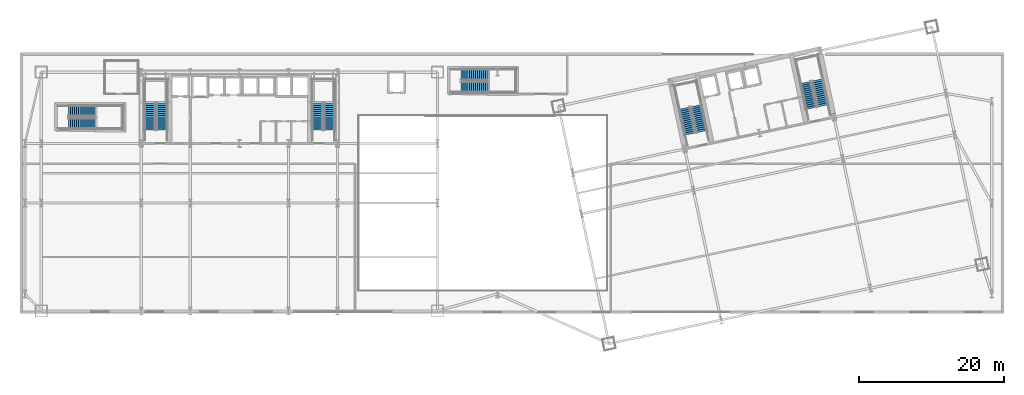
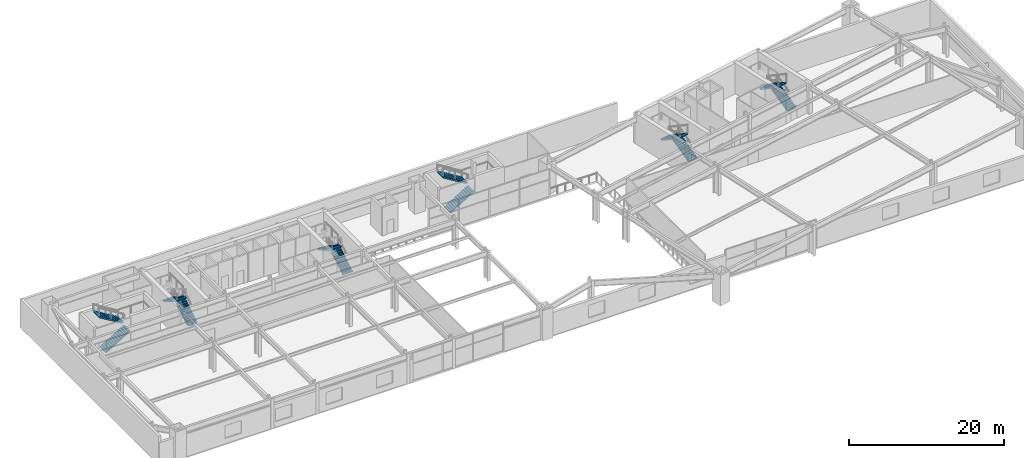
# One storey, part 21 of 30: 12 stair flights, 6 elements without a shape of their own.
"""IFC4 building model written with IfcOpenShell, lengths in metres."""

import ifcopenshell
import ifcopenshell.guid

model = None  # the IFC model being written
_history = None  # IfcOwnerHistory: only IFC2X3 demands one
_inside = {}  # id of a spatial element -> (the spatial element, [elements in it])
_under = {}  # id of a project, library or spatial element -> (it, [spatial elements below it])
_declared = {}  # id of a project -> (the project, [libraries it declares])
_typed = {}  # id of a type object -> (the type object, [elements of that type])
_made_of = {}  # id of a material, layer set ... -> (it, [elements and type objects made of it])


def new_model(schema):
    """Start an empty IFC model of exactly this schema.

    Asked for "IFC4X3", IfcOpenShell would pick the latest addendum, in which some entities
    have other attributes; the version numbers below select the first issue.
    IFC2X3 requires an IfcOwnerHistory on every rooted entity: one is made here for all.
    """
    global model, _history
    if schema == "IFC4X3":
        model = ifcopenshell.file(schema_version=(4, 3, 0, 0))
    else:
        model = ifcopenshell.file(schema=schema)
    _inside.clear()
    _under.clear()
    _declared.clear()
    _typed.clear()
    _made_of.clear()
    _history = None
    if model.schema == "IFC2X3":
        org = make("IfcOrganization", Name="unknown")
        user = make(
            "IfcPersonAndOrganization",
            ThePerson=make("IfcPerson", FamilyName="unknown"),
            TheOrganization=org,
        )
        app = make(
            "IfcApplication",
            ApplicationDeveloper=org,
            Version="unknown",
            ApplicationFullName="unknown",
            ApplicationIdentifier="unknown",
        )
        _history = make(
            "IfcOwnerHistory",
            OwningUser=user,
            OwningApplication=app,
            ChangeAction="ADDED",
            CreationDate=0,
        )
    return model


def make(cls, **values):
    """One entity of the class cls with the attributes given. An attribute that is None is left unset."""
    return model.create_entity(
        cls, **{name: value for name, value in values.items() if value is not None}
    )


def rooted(cls, **values):
    """An entity with a GlobalId (a new one), such as an element, a storey or a relation."""
    return make(cls, GlobalId=ifcopenshell.guid.new(), OwnerHistory=_history, **values)


def si_unit(unit_type, name, prefix=None):
    """IfcSIUnit, for example si_unit("LENGTHUNIT", "METRE", prefix="MILLI")."""
    return make("IfcSIUnit", UnitType=unit_type, Prefix=prefix, Name=name)


def assignment(units):
    """IfcUnitAssignment: the units of a project."""
    return None if units is None else make("IfcUnitAssignment", Units=units)


def point(xyz):
    """IfcCartesianPoint."""
    return None if xyz is None else make("IfcCartesianPoint", Coordinates=xyz)


def direction(xyz):
    """IfcDirection."""
    return None if xyz is None else make("IfcDirection", DirectionRatios=xyz)


def frame(location, z_axis=None, x_axis=None):
    """IfcAxis2Placement3D, a coordinate frame: its origin and axes. An axis left out is left unset."""
    return make(
        "IfcAxis2Placement3D",
        Location=point(location),
        Axis=direction(z_axis),
        RefDirection=direction(x_axis),
    )


def origin():
    """The frame at (0, 0, 0) with its axes left unset."""
    return frame((0.0, 0.0, 0.0))


def place(relative_to, where):
    """IfcLocalPlacement: puts the frame where relative to a parent placement (None: the world)."""
    return make(
        "IfcLocalPlacement", PlacementRelTo=relative_to, RelativePlacement=where
    )


def context(
    kind, dimensions, precision=None, world=None, true_north=None, identifier=None
):
    """IfcGeometricRepresentationContext, for example the 3D "Model" context."""
    return make(
        "IfcGeometricRepresentationContext",
        ContextIdentifier=identifier,
        ContextType=kind,
        CoordinateSpaceDimension=dimensions,
        Precision=precision,
        WorldCoordinateSystem=world,
        TrueNorth=true_north,
    )


def subcontext(parent, identifier, kind, view, scale=None):
    """IfcGeometricRepresentationSubContext, for example "Body" below "Model"."""
    return make(
        "IfcGeometricRepresentationSubContext",
        ContextIdentifier=identifier,
        ContextType=kind,
        ParentContext=parent,
        TargetScale=scale,
        TargetView=view,
    )


def project(units=None, contexts=None):
    """IfcProject with its units and contexts."""
    return rooted(
        "IfcProject",
        Name="project",
        RepresentationContexts=contexts,
        UnitsInContext=assignment(units),
    )


def spatial(cls, under=None, at=None, **own):
    """A site, building, storey or space (cls), placed at a placement, below another one or the project."""
    s = rooted(cls, ObjectPlacement=at, **own)
    if under is not None:
        _under.setdefault(under.id(), (under, []))[1].append(s)
    return s


def polyline(points):
    """IfcPolyline through the points."""
    return make("IfcPolyline", Points=[point(p) for p in points])


def outline(outer, holes=None, kind="AREA"):
    """IfcArbitraryClosedProfileDef: a profile drawn as a closed curve; with holes, ...WithVoids."""
    if holes is None:
        return make("IfcArbitraryClosedProfileDef", ProfileType=kind, OuterCurve=outer)
    return make(
        "IfcArbitraryProfileDefWithVoids",
        ProfileType=kind,
        OuterCurve=outer,
        InnerCurves=holes,
    )


def extrude(swept, where, along, depth):
    """IfcExtrudedAreaSolid: the profile swept, set in the frame where, extruded along a direction by depth."""
    return make(
        "IfcExtrudedAreaSolid",
        SweptArea=swept,
        Position=where,
        ExtrudedDirection=direction(along),
        Depth=depth,
    )


def shape(context_of_items, identifier, shape_type, items):
    """IfcShapeRepresentation: the items that make up one representation, for example the "Body"."""
    return make(
        "IfcShapeRepresentation",
        ContextOfItems=context_of_items,
        RepresentationIdentifier=identifier,
        RepresentationType=shape_type,
        Items=items,
    )


def material(Name=None, Category=None):
    """IfcMaterial."""
    return make("IfcMaterial", Name=Name, Category=Category)


def made_of(thing, what):
    """Note that an element or type object is made of a material, layer set ...; save() writes the relation."""
    if what is not None:
        _made_of.setdefault(what.id(), (what, []))[1].append(thing)
    return thing


def type_object(cls, material=None, **own):
    """A type object (cls), such as IfcWallType, which elements share."""
    return made_of(rooted(cls, **own), material)


def element(
    cls,
    number,
    at=None,
    inside=None,
    cuts=None,
    type_object=None,
    material=None,
    context=None,
    identifier="Body",
    shape_type=None,
    held_by="IfcProductDefinitionShape",
    body=None,
    shapes=None,
    **own,
):
    """One element of the class cls, such as IfcWall. Its Tag is "e" and its number.

    at: its placement. inside: the storey or other place that contains it. cuts: it is an
    opening in that element (IfcRelVoidsElement). A single representation is given by context,
    identifier, shape_type and body (its items); several are given by shapes. held_by: the class
    of the entity that holds the representations. save() writes the other relations.
    """
    e = rooted(cls, Tag="e%d" % number, ObjectPlacement=at, **own)
    if body is not None:
        shapes = [shape(context, identifier, shape_type, body)]
    if shapes is not None:
        e.Representation = make(held_by, Representations=shapes)
    if inside is not None:
        _inside.setdefault(inside.id(), (inside, []))[1].append(e)
    if cuts is not None:
        rooted(
            "IfcRelVoidsElement", RelatingBuildingElement=cuts, RelatedOpeningElement=e
        )
    if type_object is not None:
        _typed.setdefault(type_object.id(), (type_object, []))[1].append(e)
    return made_of(e, material)


def aggregate(whole, parts):
    """IfcRelAggregates: a whole, such as a stair, and the parts it consists of."""
    return rooted("IfcRelAggregates", RelatingObject=whole, RelatedObjects=parts)


def save(model, path):
    """Write the relations noted so far, then the file.

    IfcRelAggregates (storeys below a building ...), IfcRelContainedInSpatialStructure (elements
    in a storey), IfcRelDefinesByType, IfcRelAssociatesMaterial and IfcRelDeclares: one each for
    every whole, place, type object, material and project.
    """
    for whole, parts in _under.values():
        aggregate(whole, parts)
    for where, things in _inside.values():
        rooted(
            "IfcRelContainedInSpatialStructure",
            RelatedElements=things,
            RelatingStructure=where,
        )
    for kind, things in _typed.values():
        rooted("IfcRelDefinesByType", RelatedObjects=things, RelatingType=kind)
    for what, things in _made_of.values():
        rooted("IfcRelAssociatesMaterial", RelatedObjects=things, RelatingMaterial=what)
    for by, libraries in _declared.values():
        rooted("IfcRelDeclares", RelatingContext=by, RelatedDefinitions=libraries)
    model.write(path)


model = new_model("IFC4")

# Units and contexts
model_context = context("Model", 3, precision=1e-05, world=origin(), true_north=direction((0.0, 1.0)))
body_context = subcontext(model_context, "Body", "Model", "MODEL_VIEW")
ifc_project = project(units=[si_unit("LENGTHUNIT", "METRE"), si_unit("AREAUNIT", "SQUARE_METRE"), si_unit("VOLUMEUNIT", "CUBIC_METRE"), si_unit("PLANEANGLEUNIT", "RADIAN"), si_unit("MASSUNIT", "GRAM", prefix="KILO")], contexts=[model_context])

# Site, building, storey
site_placement = place(None, origin())
site = spatial("IfcSite", under=ifc_project, at=site_placement, CompositionType="ELEMENT")
building_placement = place(site_placement, origin())
building = spatial("IfcBuilding", under=site, at=building_placement, Name="Haevon Station Towers", CompositionType="ELEMENT")
storey_placement = place(building_placement, frame((0.0, 0.0, 15.60009765625)))
storey = spatial("IfcBuildingStorey", under=building, at=storey_placement, Name="L03", CompositionType="ELEMENT", Elevation=15.60009765625)

# Stair, stair flights
ifc_material = material(Name="Concrete C40/50", Category="concrete")
stair_type_1 = type_object("IfcStairType", Name="STR-DL1450", PredefinedType="USERDEFINED", material=ifc_material)
stair_1_placement = place(storey_placement, origin())
stair_1 = element("IfcStair", 1, at=stair_1_placement, inside=storey, type_object=stair_type_1, Name="L03 Escape Stair ST1", ObjectType="TWO_RETURN_STAIR", PredefinedType="USERDEFINED")
stair_flight_type_1 = type_object("IfcStairFlightType", Name="STF-ST1450", PredefinedType="STRAIGHT", material=ifc_material)
stair_flight_1_placement = place(storey_placement, frame((26.85498046875, 40.050048828125, 0.0), z_axis=(0.0, 0.0, 1.0), x_axis=(0.0, 1.0, 0.0)))
stair_flight_1 = element("IfcStairFlight", 2, at=stair_flight_1_placement, type_object=stair_flight_type_1, Name="L03 ST1 Flight 1", NumberOfRisers=14, NumberOfTreads=13, PredefinedType="STRAIGHT", RiserHeight=0.171428571, TreadLength=0.28, context=body_context, shape_type="SweptSolid", body=[
    extrude(outline(polyline([(0.0, 0.0), (0.0, 0.17138671875), (0.280029296875, 0.17138671875), (0.280029296875, 0.3427734375), (0.56005859375, 0.3427734375), (0.56005859375, 0.514404296875), (0.840087890625, 0.514404296875), (0.840087890625, 0.685791015625), (1.1201171875, 0.685791015625), (1.1201171875, 0.857177734375), (1.39990234375, 0.857177734375), (1.39990234375, 1.028564453125), (1.679931640625, 1.028564453125), (1.679931640625, 1.199951171875), (1.9599609375, 1.199951171875), (1.9599609375, 1.371337890625), (2.239990234375, 1.371337890625), (2.239990234375, 1.54296875), (2.52001953125, 1.54296875), (2.52001953125, 1.71435546875), (2.800048828125, 1.71435546875), (2.800048828125, 1.8857421875), (3.080078125, 1.8857421875), (3.080078125, 2.05712890625), (3.360107421875, 2.05712890625), (3.360107421875, 2.228515625), (3.639892578125, 2.228515625), (3.639892578125, 2.39990234375), (3.639892578125, 2.041015625), (0.30615234375, 0.0), (0.0, 0.0)])), frame((0.0, 0.72509765625, 0.0), z_axis=(0.0, -1.0, 0.0), x_axis=(1.0, 0.0, 0.0)), (0.0, 0.0, 1.0), 1.449951171875),
])
stair_flight_2_placement = place(storey_placement, frame((25.205078125, 43.68994140625, 2.39990234375), z_axis=(0.0, 0.0, 1.0), x_axis=(0.0, -1.0, 0.0)))
stair_flight_2 = element("IfcStairFlight", 3, at=stair_flight_2_placement, type_object=stair_flight_type_1, Name="L03 ST1 Flight 2", NumberOfRisers=14, NumberOfTreads=13, PredefinedType="STRAIGHT", RiserHeight=0.171428571, TreadLength=0.28, context=body_context, shape_type="SweptSolid", body=[
    extrude(outline(polyline([(0.0, 0.0), (0.0, 0.17138671875), (0.280029296875, 0.17138671875), (0.280029296875, 0.3427734375), (0.56005859375, 0.3427734375), (0.56005859375, 0.514404296875), (0.840087890625, 0.514404296875), (0.840087890625, 0.685791015625), (1.1201171875, 0.685791015625), (1.1201171875, 0.857177734375), (1.39990234375, 0.857177734375), (1.39990234375, 1.028564453125), (1.679931640625, 1.028564453125), (1.679931640625, 1.199951171875), (1.9599609375, 1.199951171875), (1.9599609375, 1.371337890625), (2.239990234375, 1.371337890625), (2.239990234375, 1.54296875), (2.52001953125, 1.54296875), (2.52001953125, 1.71435546875), (2.800048828125, 1.71435546875), (2.800048828125, 1.8857421875), (3.080078125, 1.8857421875), (3.080078125, 2.05712890625), (3.360107421875, 2.05712890625), (3.360107421875, 2.228515625), (3.639892578125, 2.228515625), (3.639892578125, 2.39990234375), (3.639892578125, 2.041015625), (0.30615234375, 0.0), (0.0, 0.0)])), frame((0.0, 0.72509765625, 0.0), z_axis=(0.0, -1.0, 0.0), x_axis=(1.0, 0.0, 0.0)), (0.0, 0.0, 1.0), 1.449951171875),
])
aggregate(stair_1, [stair_flight_1, stair_flight_2])

stair_2_placement = place(storey_placement, origin())
stair_2 = element("IfcStair", 4, at=stair_2_placement, inside=storey, type_object=stair_type_1, Name="L03 Escape Stair ST2", ObjectType="TWO_RETURN_STAIR", PredefinedType="USERDEFINED")
stair_flight_3_placement = place(storey_placement, frame((49.89501953125, 40.050048828125, 0.0), z_axis=(0.0, 0.0, 1.0), x_axis=(0.0, 1.0, 0.0)))
stair_flight_3 = element("IfcStairFlight", 5, at=stair_flight_3_placement, type_object=stair_flight_type_1, Name="L03 ST2 Flight 1", NumberOfRisers=14, NumberOfTreads=13, PredefinedType="STRAIGHT", RiserHeight=0.171428571, TreadLength=0.28, context=body_context, shape_type="SweptSolid", body=[
    extrude(outline(polyline([(0.0, 0.0), (0.0, 0.17138671875), (0.280029296875, 0.17138671875), (0.280029296875, 0.3427734375), (0.56005859375, 0.3427734375), (0.56005859375, 0.514404296875), (0.840087890625, 0.514404296875), (0.840087890625, 0.685791015625), (1.1201171875, 0.685791015625), (1.1201171875, 0.857177734375), (1.39990234375, 0.857177734375), (1.39990234375, 1.028564453125), (1.679931640625, 1.028564453125), (1.679931640625, 1.199951171875), (1.9599609375, 1.199951171875), (1.9599609375, 1.371337890625), (2.239990234375, 1.371337890625), (2.239990234375, 1.54296875), (2.52001953125, 1.54296875), (2.52001953125, 1.71435546875), (2.800048828125, 1.71435546875), (2.800048828125, 1.8857421875), (3.080078125, 1.8857421875), (3.080078125, 2.05712890625), (3.360107421875, 2.05712890625), (3.360107421875, 2.228515625), (3.639892578125, 2.228515625), (3.639892578125, 2.39990234375), (3.639892578125, 2.041015625), (0.30615234375, 0.0), (0.0, 0.0)])), frame((0.0, 0.72509765625, 0.0), z_axis=(0.0, -1.0, 0.0), x_axis=(1.0, 0.0, 0.0)), (0.0, 0.0, 1.0), 1.449951171875),
])
stair_flight_4_placement = place(storey_placement, frame((48.2451171875, 43.68994140625, 2.39990234375), z_axis=(0.0, 0.0, 1.0), x_axis=(0.0, -1.0, 0.0)))
stair_flight_4 = element("IfcStairFlight", 6, at=stair_flight_4_placement, type_object=stair_flight_type_1, Name="L03 ST2 Flight 2", NumberOfRisers=14, NumberOfTreads=13, PredefinedType="STRAIGHT", RiserHeight=0.171428571, TreadLength=0.28, context=body_context, shape_type="SweptSolid", body=[
    extrude(outline(polyline([(0.0, 0.0), (0.0, 0.17138671875), (0.280029296875, 0.17138671875), (0.280029296875, 0.3427734375), (0.56005859375, 0.3427734375), (0.56005859375, 0.514404296875), (0.840087890625, 0.514404296875), (0.840087890625, 0.685791015625), (1.1201171875, 0.685791015625), (1.1201171875, 0.857177734375), (1.39990234375, 0.857177734375), (1.39990234375, 1.028564453125), (1.679931640625, 1.028564453125), (1.679931640625, 1.199951171875), (1.9599609375, 1.199951171875), (1.9599609375, 1.371337890625), (2.239990234375, 1.371337890625), (2.239990234375, 1.54296875), (2.52001953125, 1.54296875), (2.52001953125, 1.71435546875), (2.800048828125, 1.71435546875), (2.800048828125, 1.8857421875), (3.080078125, 1.8857421875), (3.080078125, 2.05712890625), (3.360107421875, 2.05712890625), (3.360107421875, 2.228515625), (3.639892578125, 2.228515625), (3.639892578125, 2.39990234375), (3.639892578125, 2.041015625), (0.30615234375, 0.0), (0.0, 0.0)])), frame((0.0, 0.72509765625, 0.0), z_axis=(0.0, -1.0, 0.0), x_axis=(1.0, 0.0, 0.0)), (0.0, 0.0, 1.0), 1.449951171875),
])
aggregate(stair_2, [stair_flight_3, stair_flight_4])

stair_3_placement = place(storey_placement, origin())
stair_3 = element("IfcStair", 7, at=stair_3_placement, inside=storey, type_object=stair_type_1, Name="L03 Escape Stair ST3", ObjectType="TWO_RETURN_STAIR", PredefinedType="USERDEFINED")
stair_flight_5_placement = place(storey_placement, frame((101.1015625, 39.8330078125, 0.0), z_axis=(0.0, 0.0, 1.0), x_axis=(-0.207911690818, 0.978147600734, 0.0)))
stair_flight_5 = element("IfcStairFlight", 8, at=stair_flight_5_placement, type_object=stair_flight_type_1, Name="L03 ST3 Flight 1", NumberOfRisers=14, NumberOfTreads=13, PredefinedType="STRAIGHT", RiserHeight=0.171428571, TreadLength=0.28, context=body_context, shape_type="SweptSolid", body=[
    extrude(outline(polyline([(0.0, 0.0), (0.0, 0.17138671875), (0.280029296875, 0.17138671875), (0.280029296875, 0.3427734375), (0.56005859375, 0.3427734375), (0.56005859375, 0.514404296875), (0.840087890625, 0.514404296875), (0.840087890625, 0.685791015625), (1.1201171875, 0.685791015625), (1.1201171875, 0.857177734375), (1.39990234375, 0.857177734375), (1.39990234375, 1.028564453125), (1.679931640625, 1.028564453125), (1.679931640625, 1.199951171875), (1.9599609375, 1.199951171875), (1.9599609375, 1.371337890625), (2.239990234375, 1.371337890625), (2.239990234375, 1.54296875), (2.52001953125, 1.54296875), (2.52001953125, 1.71435546875), (2.800048828125, 1.71435546875), (2.800048828125, 1.8857421875), (3.080078125, 1.8857421875), (3.080078125, 2.05712890625), (3.360107421875, 2.05712890625), (3.360107421875, 2.228515625), (3.639892578125, 2.228515625), (3.639892578125, 2.39990234375), (3.639892578125, 2.041015625), (0.30615234375, 0.0), (0.0, 0.0)])), frame((0.0, 0.72509765625, 0.0), z_axis=(0.0, -1.0, 0.0), x_axis=(1.0, 0.0, 0.0)), (0.0, 0.0, 1.0), 1.449951171875),
])
stair_flight_6_placement = place(storey_placement, frame((98.73095703125, 43.050537109375, 2.39990234375), z_axis=(0.0, 0.0, 1.0), x_axis=(0.207911690818, -0.978147600734, 0.0)))
stair_flight_6 = element("IfcStairFlight", 9, at=stair_flight_6_placement, type_object=stair_flight_type_1, Name="L03 ST3 Flight 2", NumberOfRisers=14, NumberOfTreads=13, PredefinedType="STRAIGHT", RiserHeight=0.171428571, TreadLength=0.28, context=body_context, shape_type="SweptSolid", body=[
    extrude(outline(polyline([(0.0, 0.0), (0.0, 0.17138671875), (0.280029296875, 0.17138671875), (0.280029296875, 0.3427734375), (0.56005859375, 0.3427734375), (0.56005859375, 0.514404296875), (0.840087890625, 0.514404296875), (0.840087890625, 0.685791015625), (1.1201171875, 0.685791015625), (1.1201171875, 0.857177734375), (1.39990234375, 0.857177734375), (1.39990234375, 1.028564453125), (1.679931640625, 1.028564453125), (1.679931640625, 1.199951171875), (1.9599609375, 1.199951171875), (1.9599609375, 1.371337890625), (2.239990234375, 1.371337890625), (2.239990234375, 1.54296875), (2.52001953125, 1.54296875), (2.52001953125, 1.71435546875), (2.800048828125, 1.71435546875), (2.800048828125, 1.8857421875), (3.080078125, 1.8857421875), (3.080078125, 2.05712890625), (3.360107421875, 2.05712890625), (3.360107421875, 2.228515625), (3.639892578125, 2.228515625), (3.639892578125, 2.39990234375), (3.639892578125, 2.041015625), (0.30615234375, 0.0), (0.0, 0.0)])), frame((0.0, 0.72509765625, 0.0), z_axis=(0.0, -1.0, 0.0), x_axis=(1.0, 0.0, 0.0)), (0.0, 0.0, 1.0), 1.449951171875),
])
aggregate(stair_3, [stair_flight_5, stair_flight_6])

stair_4_placement = place(storey_placement, origin())
stair_4 = element("IfcStair", 10, at=stair_4_placement, inside=storey, type_object=stair_type_1, Name="L03 Escape Stair ST4", ObjectType="TWO_RETURN_STAIR", PredefinedType="USERDEFINED")
stair_flight_7_placement = place(storey_placement, frame((117.788818359375, 43.380126953125, 0.0), z_axis=(0.0, 0.0, 1.0), x_axis=(-0.207911690818, 0.978147600734, 0.0)))
stair_flight_7 = element("IfcStairFlight", 11, at=stair_flight_7_placement, type_object=stair_flight_type_1, Name="L03 ST4 Flight 1", NumberOfRisers=14, NumberOfTreads=13, PredefinedType="STRAIGHT", RiserHeight=0.171428571, TreadLength=0.28, context=body_context, shape_type="SweptSolid", body=[
    extrude(outline(polyline([(0.0, 0.0), (0.0, 0.17138671875), (0.280029296875, 0.17138671875), (0.280029296875, 0.3427734375), (0.56005859375, 0.3427734375), (0.56005859375, 0.514404296875), (0.840087890625, 0.514404296875), (0.840087890625, 0.685791015625), (1.1201171875, 0.685791015625), (1.1201171875, 0.857177734375), (1.39990234375, 0.857177734375), (1.39990234375, 1.028564453125), (1.679931640625, 1.028564453125), (1.679931640625, 1.199951171875), (1.9599609375, 1.199951171875), (1.9599609375, 1.371337890625), (2.239990234375, 1.371337890625), (2.239990234375, 1.54296875), (2.52001953125, 1.54296875), (2.52001953125, 1.71435546875), (2.800048828125, 1.71435546875), (2.800048828125, 1.8857421875), (3.080078125, 1.8857421875), (3.080078125, 2.05712890625), (3.360107421875, 2.05712890625), (3.360107421875, 2.228515625), (3.639892578125, 2.228515625), (3.639892578125, 2.39990234375), (3.639892578125, 2.041015625), (0.30615234375, 0.0), (0.0, 0.0)])), frame((0.0, 0.72509765625, 0.0), z_axis=(0.0, -1.0, 0.0), x_axis=(1.0, 0.0, 0.0)), (0.0, 0.0, 1.0), 1.449951171875),
])
stair_flight_8_placement = place(storey_placement, frame((115.418212890625, 46.597412109375, 2.39990234375), z_axis=(0.0, 0.0, 1.0), x_axis=(0.207911690818, -0.978147600734, 0.0)))
stair_flight_8 = element("IfcStairFlight", 12, at=stair_flight_8_placement, type_object=stair_flight_type_1, Name="L03 ST4 Flight 2", NumberOfRisers=14, NumberOfTreads=13, PredefinedType="STRAIGHT", RiserHeight=0.171428571, TreadLength=0.28, context=body_context, shape_type="SweptSolid", body=[
    extrude(outline(polyline([(0.0, 0.0), (0.0, 0.17138671875), (0.280029296875, 0.17138671875), (0.280029296875, 0.3427734375), (0.56005859375, 0.3427734375), (0.56005859375, 0.514404296875), (0.840087890625, 0.514404296875), (0.840087890625, 0.685791015625), (1.1201171875, 0.685791015625), (1.1201171875, 0.857177734375), (1.39990234375, 0.857177734375), (1.39990234375, 1.028564453125), (1.679931640625, 1.028564453125), (1.679931640625, 1.199951171875), (1.9599609375, 1.199951171875), (1.9599609375, 1.371337890625), (2.239990234375, 1.371337890625), (2.239990234375, 1.54296875), (2.52001953125, 1.54296875), (2.52001953125, 1.71435546875), (2.800048828125, 1.71435546875), (2.800048828125, 1.8857421875), (3.080078125, 1.8857421875), (3.080078125, 2.05712890625), (3.360107421875, 2.05712890625), (3.360107421875, 2.228515625), (3.639892578125, 2.228515625), (3.639892578125, 2.39990234375), (3.639892578125, 2.041015625), (0.30615234375, 0.0), (0.0, 0.0)])), frame((0.0, 0.72509765625, 0.0), z_axis=(0.0, -1.0, 0.0), x_axis=(1.0, 0.0, 0.0)), (0.0, 0.0, 1.0), 1.449951171875),
])
aggregate(stair_4, [stair_flight_7, stair_flight_8])

stair_type_2 = type_object("IfcStairType", Name="STR-DL1500", PredefinedType="USERDEFINED", material=ifc_material)
stair_5_placement = place(storey_placement, origin())
stair_5 = element("IfcStair", 13, at=stair_5_placement, inside=storey, type_object=stair_type_2, Name="L03 Escape Stair ST5", ObjectType="TWO_RETURN_STAIR", PredefinedType="USERDEFINED")
stair_flight_type_2 = type_object("IfcStairFlightType", Name="STF-ST1500", PredefinedType="STRAIGHT", material=ifc_material)
stair_flight_9_placement = place(storey_placement, frame((14.0, 40.949951171875, 0.0), z_axis=(0.0, 0.0, 1.0), x_axis=(1.0, 0.0, 0.0)))
stair_flight_9 = element("IfcStairFlight", 14, at=stair_flight_9_placement, type_object=stair_flight_type_2, Name="L03 ST5 Flight 1", NumberOfRisers=14, NumberOfTreads=13, PredefinedType="STRAIGHT", RiserHeight=0.171428571, TreadLength=0.28, context=body_context, shape_type="SweptSolid", body=[
    extrude(outline(polyline([(0.0, 0.0), (0.0, 0.17138671875), (0.280029296875, 0.17138671875), (0.280029296875, 0.3427734375), (0.56005859375, 0.3427734375), (0.56005859375, 0.514404296875), (0.840087890625, 0.514404296875), (0.840087890625, 0.685791015625), (1.1201171875, 0.685791015625), (1.1201171875, 0.857177734375), (1.39990234375, 0.857177734375), (1.39990234375, 1.028564453125), (1.679931640625, 1.028564453125), (1.679931640625, 1.199951171875), (1.9599609375, 1.199951171875), (1.9599609375, 1.371337890625), (2.239990234375, 1.371337890625), (2.239990234375, 1.54296875), (2.52001953125, 1.54296875), (2.52001953125, 1.71435546875), (2.800048828125, 1.71435546875), (2.800048828125, 1.8857421875), (3.080078125, 1.8857421875), (3.080078125, 2.05712890625), (3.360107421875, 2.05712890625), (3.360107421875, 2.228515625), (3.639892578125, 2.228515625), (3.639892578125, 2.39990234375), (3.639892578125, 2.041015625), (0.30615234375, 0.0), (0.0, 0.0)])), frame((0.0, 0.75, 0.0), z_axis=(0.0, -1.0, 0.0), x_axis=(1.0, 0.0, 0.0)), (0.0, 0.0, 1.0), 1.5),
])
stair_flight_10_placement = place(storey_placement, frame((17.639892578125, 42.64990234375, 2.39990234375), z_axis=(0.0, 0.0, 1.0), x_axis=(-1.0, 0.0, 0.0)))
stair_flight_10 = element("IfcStairFlight", 15, at=stair_flight_10_placement, type_object=stair_flight_type_2, Name="L03 ST5 Flight 2", NumberOfRisers=14, NumberOfTreads=13, PredefinedType="STRAIGHT", RiserHeight=0.171428571, TreadLength=0.28, context=body_context, shape_type="SweptSolid", body=[
    extrude(outline(polyline([(0.0, 0.0), (0.0, 0.17138671875), (0.280029296875, 0.17138671875), (0.280029296875, 0.3427734375), (0.56005859375, 0.3427734375), (0.56005859375, 0.514404296875), (0.840087890625, 0.514404296875), (0.840087890625, 0.685791015625), (1.1201171875, 0.685791015625), (1.1201171875, 0.857177734375), (1.39990234375, 0.857177734375), (1.39990234375, 1.028564453125), (1.679931640625, 1.028564453125), (1.679931640625, 1.199951171875), (1.9599609375, 1.199951171875), (1.9599609375, 1.371337890625), (2.239990234375, 1.371337890625), (2.239990234375, 1.54296875), (2.52001953125, 1.54296875), (2.52001953125, 1.71435546875), (2.800048828125, 1.71435546875), (2.800048828125, 1.8857421875), (3.080078125, 1.8857421875), (3.080078125, 2.05712890625), (3.360107421875, 2.05712890625), (3.360107421875, 2.228515625), (3.639892578125, 2.228515625), (3.639892578125, 2.39990234375), (3.639892578125, 2.041015625), (0.30615234375, 0.0), (0.0, 0.0)])), frame((0.0, 0.75, 0.0), z_axis=(0.0, -1.0, 0.0), x_axis=(1.0, 0.0, 0.0)), (0.0, 0.0, 1.0), 1.5),
])
aggregate(stair_5, [stair_flight_9, stair_flight_10])

stair_6_placement = place(storey_placement, origin())
stair_6 = element("IfcStair", 16, at=stair_6_placement, inside=storey, type_object=stair_type_2, Name="L03 Escape Stair ST6", ObjectType="TWO_RETURN_STAIR", PredefinedType="USERDEFINED")
stair_flight_11_placement = place(storey_placement, frame((68.0, 45.949951171875, 0.0), z_axis=(0.0, 0.0, 1.0), x_axis=(1.0, 0.0, 0.0)))
stair_flight_11 = element("IfcStairFlight", 17, at=stair_flight_11_placement, type_object=stair_flight_type_2, Name="L03 ST6 Flight 1", NumberOfRisers=14, NumberOfTreads=13, PredefinedType="STRAIGHT", RiserHeight=0.171428571, TreadLength=0.28, context=body_context, shape_type="SweptSolid", body=[
    extrude(outline(polyline([(0.0, 0.0), (0.0, 0.17138671875), (0.280029296875, 0.17138671875), (0.280029296875, 0.3427734375), (0.56005859375, 0.3427734375), (0.56005859375, 0.514404296875), (0.840087890625, 0.514404296875), (0.840087890625, 0.685791015625), (1.1201171875, 0.685791015625), (1.1201171875, 0.857177734375), (1.39990234375, 0.857177734375), (1.39990234375, 1.028564453125), (1.679931640625, 1.028564453125), (1.679931640625, 1.199951171875), (1.9599609375, 1.199951171875), (1.9599609375, 1.371337890625), (2.239990234375, 1.371337890625), (2.239990234375, 1.54296875), (2.52001953125, 1.54296875), (2.52001953125, 1.71435546875), (2.800048828125, 1.71435546875), (2.800048828125, 1.8857421875), (3.080078125, 1.8857421875), (3.080078125, 2.05712890625), (3.360107421875, 2.05712890625), (3.360107421875, 2.228515625), (3.639892578125, 2.228515625), (3.639892578125, 2.39990234375), (3.639892578125, 2.041015625), (0.30615234375, 0.0), (0.0, 0.0)])), frame((0.0, 0.75, 0.0), z_axis=(0.0, -1.0, 0.0), x_axis=(1.0, 0.0, 0.0)), (0.0, 0.0, 1.0), 1.5),
])
stair_flight_12_placement = place(storey_placement, frame((71.639892578125, 47.64990234375, 2.39990234375), z_axis=(0.0, 0.0, 1.0), x_axis=(-1.0, 0.0, 0.0)))
stair_flight_12 = element("IfcStairFlight", 18, at=stair_flight_12_placement, type_object=stair_flight_type_2, Name="L03 ST6 Flight 2", NumberOfRisers=14, NumberOfTreads=13, PredefinedType="STRAIGHT", RiserHeight=0.171428571, TreadLength=0.28, context=body_context, shape_type="SweptSolid", body=[
    extrude(outline(polyline([(0.0, 0.0), (0.0, 0.17138671875), (0.280029296875, 0.17138671875), (0.280029296875, 0.3427734375), (0.56005859375, 0.3427734375), (0.56005859375, 0.514404296875), (0.840087890625, 0.514404296875), (0.840087890625, 0.685791015625), (1.1201171875, 0.685791015625), (1.1201171875, 0.857177734375), (1.39990234375, 0.857177734375), (1.39990234375, 1.028564453125), (1.679931640625, 1.028564453125), (1.679931640625, 1.199951171875), (1.9599609375, 1.199951171875), (1.9599609375, 1.371337890625), (2.239990234375, 1.371337890625), (2.239990234375, 1.54296875), (2.52001953125, 1.54296875), (2.52001953125, 1.71435546875), (2.800048828125, 1.71435546875), (2.800048828125, 1.8857421875), (3.080078125, 1.8857421875), (3.080078125, 2.05712890625), (3.360107421875, 2.05712890625), (3.360107421875, 2.228515625), (3.639892578125, 2.228515625), (3.639892578125, 2.39990234375), (3.639892578125, 2.041015625), (0.30615234375, 0.0), (0.0, 0.0)])), frame((0.0, 0.75, 0.0), z_axis=(0.0, -1.0, 0.0), x_axis=(1.0, 0.0, 0.0)), (0.0, 0.0, 1.0), 1.5),
])
aggregate(stair_6, [stair_flight_11, stair_flight_12])

save(model, "model.ifc")
